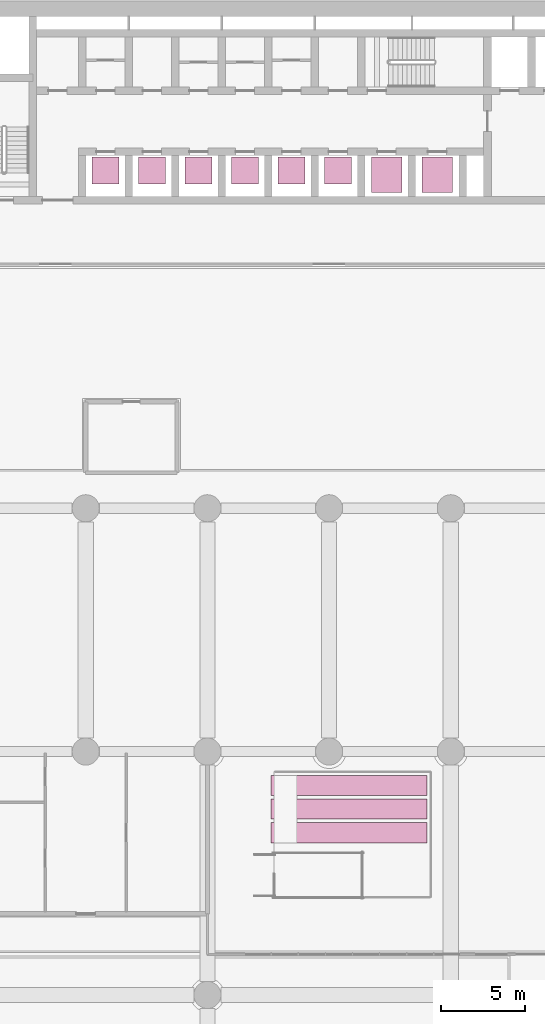
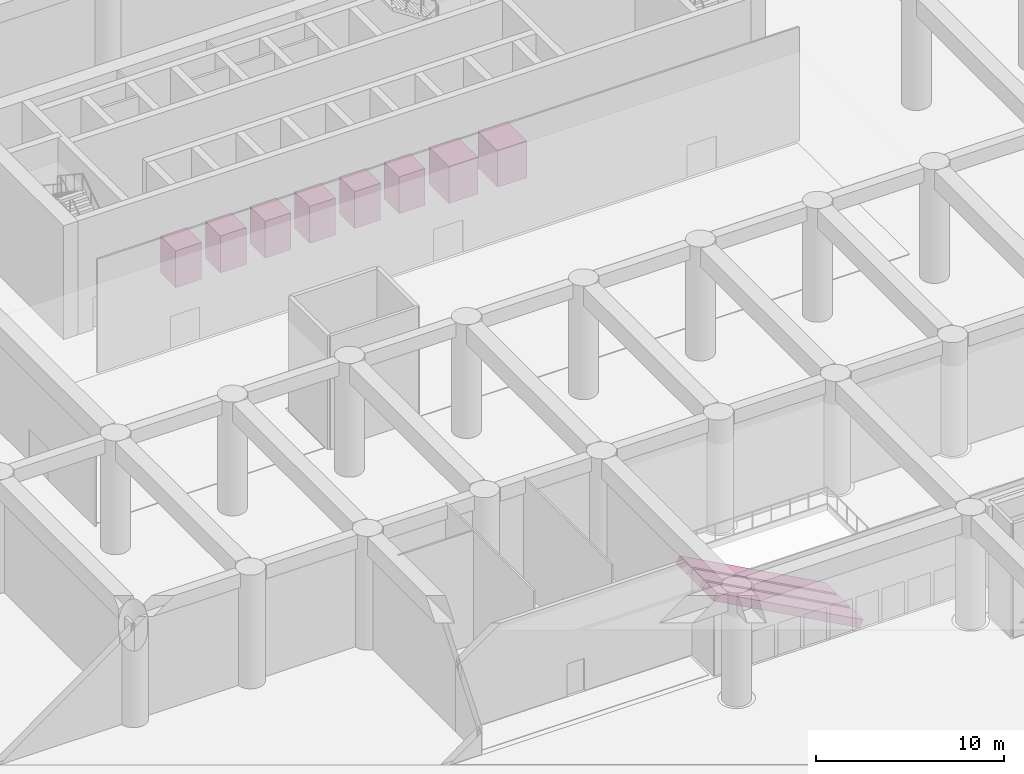
# One storey, part 32 of 32: 11 transport elements.
"""IFC4 building model written with IfcOpenShell, lengths in metres."""

from ifc_helpers import new_model, si_unit, direction, frame, origin, origin_2d, place, context, subcontext, project, spatial, polyline, rectangle, outline, extrude, source, transform, mapped, material, type_object, element, save


model = new_model("IFC4")

# Units and contexts
model_context = context("Model", 3, precision=1e-05, world=origin(), true_north=direction((0.0, 1.0)))
body_context = subcontext(model_context, "Body", "Model", "MODEL_VIEW")
ifc_project = project(units=[si_unit("LENGTHUNIT", "METRE"), si_unit("AREAUNIT", "SQUARE_METRE"), si_unit("VOLUMEUNIT", "CUBIC_METRE"), si_unit("PLANEANGLEUNIT", "RADIAN"), si_unit("MASSUNIT", "GRAM", prefix="KILO")], contexts=[model_context])

# Site, building, storey
site_placement = place(None, origin())
site = spatial("IfcSite", under=ifc_project, at=site_placement, CompositionType="ELEMENT")
building_placement = place(site_placement, origin())
building = spatial("IfcBuilding", under=site, at=building_placement, Name="Saffron Iwan Residences", CompositionType="ELEMENT")
storey_placement = place(building_placement, origin())
storey = spatial("IfcBuildingStorey", under=building, at=storey_placement, Name="L00", CompositionType="ELEMENT", Elevation=0.0)

# Transport elements
ifc_material_1 = material(Name="Steel S355", Category="steel")
transport_element_type_1 = type_object("IfcTransportElementType", Name="Station escalator 1000", PredefinedType="ESCALATOR", material=ifc_material_1)
for number, where, z_axis, x_axis, name in (
    (1, (47.199951171875, 28.199951171875, 0.0), (0.478160915444, 0.0, 0.878272246483), (0.0, 1.0, 0.0), "Escalator ES1"),
    (2, (47.199951171875, 29.60009765625, 0.0), (0.478160915444, 0.0, 0.878272246483), (0.0, 1.0, 0.0), "Escalator ES2"),
    (3, (47.199951171875, 31.0, 0.0), (0.478160915444, 0.0, 0.878272246483), (0.0, 1.0, 0.0), "Escalator ES3"),
):
    element("IfcTransportElement", number, at=place(storey_placement, frame(where, z_axis=z_axis, x_axis=x_axis)), inside=storey, type_object=transport_element_type_1, Name=name, PredefinedType="ESCALATOR", context=body_context, shape_type="SweptSolid", body=[
        extrude(outline(polyline([(0.0, 0.0), (1.199951171875, 0.0), (1.199951171875, -10.247392008617936), (0.0, -10.247392008617936), (0.0, 0.0)])), origin(), (0.0, 0.0, -1.0), 0.5),
    ])
ifc_material_2 = material(Name="Stainless steel 316", Category="steel")
transport_element_type_2 = type_object("IfcTransportElementType", Name="Lift car 1600 x 1600", PredefinedType="ELEVATOR", material=ifc_material_2)
shared_shape_1 = source(origin(), body_context, "Body", "SweptSolid", [
    extrude(rectangle(XDim=1.60009765625, YDim=1.60009765625, at=origin_2d()), origin(), (0.0, 0.0, 1.0), 2.39990234375),
])
for number, where, z_axis, x_axis, name in (
    (4, (37.175048828125, 67.97509765625, 0.0), (0.0, 0.0, 1.0), (1.0, 0.0, 0.0), "Lift LR1"),
    (5, (39.925048828125, 67.97509765625, 0.0), (0.0, 0.0, 1.0), (1.0, 0.0, 0.0), "Lift LR2"),
    (6, (42.675048828125, 67.97509765625, 0.0), (0.0, 0.0, 1.0), (1.0, 0.0, 0.0), "Lift LR3"),
    (7, (45.425048828125, 67.97509765625, 0.0), (0.0, 0.0, 1.0), (1.0, 0.0, 0.0), "Lift LR4"),
    (8, (48.175048828125, 67.97509765625, 0.0), (0.0, 0.0, 1.0), (1.0, 0.0, 0.0), "Lift LR5"),
    (9, (50.925048828125, 67.97509765625, 0.0), (0.0, 0.0, 1.0), (1.0, 0.0, 0.0), "Lift LR6"),
):
    element("IfcTransportElement", number, at=place(storey_placement, frame(where, z_axis=z_axis, x_axis=x_axis)), inside=storey, type_object=transport_element_type_2, Name=name, PredefinedType="ELEVATOR", context=body_context, shape_type="MappedRepresentation", body=[
        mapped(shared_shape_1, transform((0.0, 0.0, 0.0))),
    ])
transport_element_type_3 = type_object("IfcTransportElementType", Name="Lift car 1800 x 2100", PredefinedType="ELEVATOR", material=ifc_material_2)
shared_shape_2 = source(origin(), body_context, "Body", "SweptSolid", [
    extrude(rectangle(XDim=1.800048828125, YDim=2.10009765625, at=origin_2d()), origin(), (0.0, 0.0, 1.0), 2.39990234375),
])
for number, where, z_axis, x_axis, name in (
    (10, (53.800048828125, 67.72509765625, 0.0), (0.0, 0.0, 1.0), (1.0, 0.0, 0.0), "Lift SH1"),
    (11, (56.800048828125, 67.72509765625, 0.0), (0.0, 0.0, 1.0), (1.0, 0.0, 0.0), "Lift SH2"),
):
    element("IfcTransportElement", number, at=place(storey_placement, frame(where, z_axis=z_axis, x_axis=x_axis)), inside=storey, type_object=transport_element_type_3, Name=name, PredefinedType="ELEVATOR", context=body_context, shape_type="MappedRepresentation", body=[
        mapped(shared_shape_2, transform((0.0, 0.0, 0.0))),
    ])

save(model, "model.ifc")
